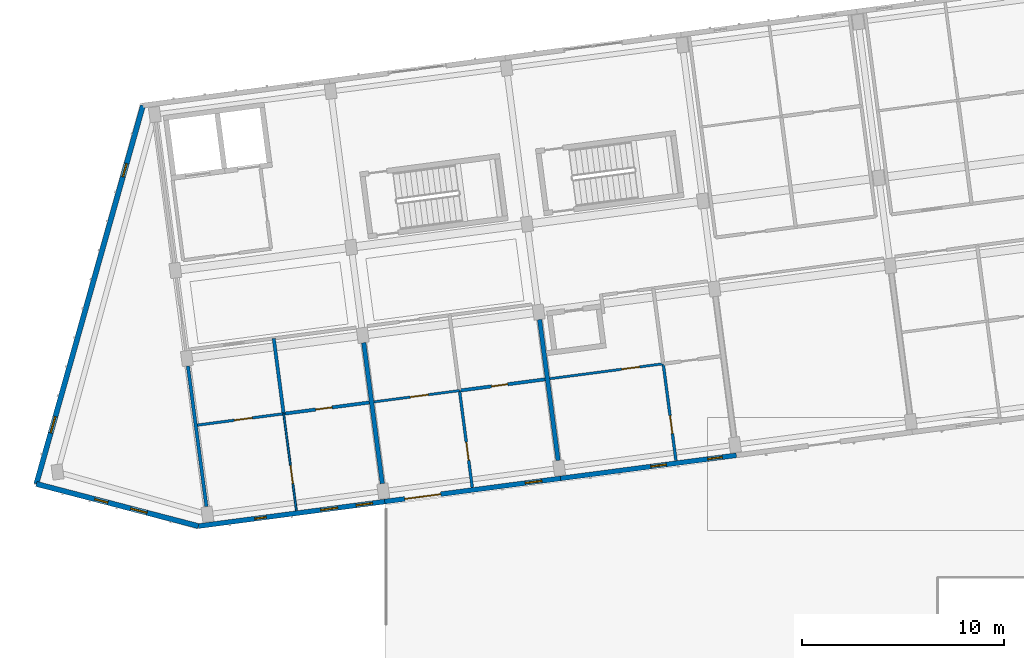
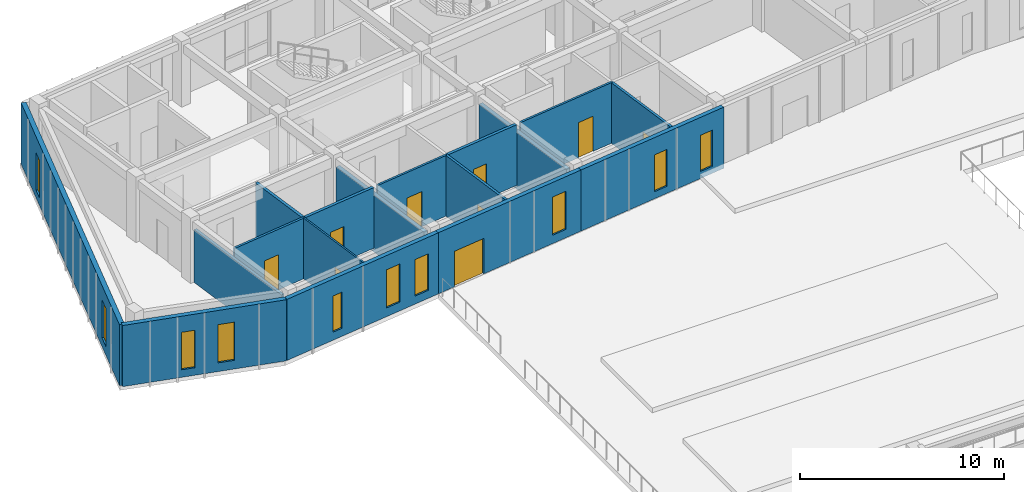
# One storey, part 92 of 150: 17 walls, 10 windows, 9 doors, 19 openings.
"""IFC4 building model written with IfcOpenShell, lengths in metres."""

import ifcopenshell
import ifcopenshell.guid

model = None  # the IFC model being written
_history = None  # IfcOwnerHistory: only IFC2X3 demands one
_inside = {}  # id of a spatial element -> (the spatial element, [elements in it])
_under = {}  # id of a project, library or spatial element -> (it, [spatial elements below it])
_declared = {}  # id of a project -> (the project, [libraries it declares])
_typed = {}  # id of a type object -> (the type object, [elements of that type])
_made_of = {}  # id of a material, layer set ... -> (it, [elements and type objects made of it])


def new_model(schema):
    """Start an empty IFC model of exactly this schema.

    Asked for "IFC4X3", IfcOpenShell would pick the latest addendum, in which some entities
    have other attributes; the version numbers below select the first issue.
    IFC2X3 requires an IfcOwnerHistory on every rooted entity: one is made here for all.
    """
    global model, _history
    if schema == "IFC4X3":
        model = ifcopenshell.file(schema_version=(4, 3, 0, 0))
    else:
        model = ifcopenshell.file(schema=schema)
    _inside.clear()
    _under.clear()
    _declared.clear()
    _typed.clear()
    _made_of.clear()
    _history = None
    if model.schema == "IFC2X3":
        org = make("IfcOrganization", Name="unknown")
        user = make(
            "IfcPersonAndOrganization",
            ThePerson=make("IfcPerson", FamilyName="unknown"),
            TheOrganization=org,
        )
        app = make(
            "IfcApplication",
            ApplicationDeveloper=org,
            Version="unknown",
            ApplicationFullName="unknown",
            ApplicationIdentifier="unknown",
        )
        _history = make(
            "IfcOwnerHistory",
            OwningUser=user,
            OwningApplication=app,
            ChangeAction="ADDED",
            CreationDate=0,
        )
    return model


def make(cls, **values):
    """One entity of the class cls with the attributes given. An attribute that is None is left unset."""
    return model.create_entity(
        cls, **{name: value for name, value in values.items() if value is not None}
    )


def rooted(cls, **values):
    """An entity with a GlobalId (a new one), such as an element, a storey or a relation."""
    return make(cls, GlobalId=ifcopenshell.guid.new(), OwnerHistory=_history, **values)


def si_unit(unit_type, name, prefix=None):
    """IfcSIUnit, for example si_unit("LENGTHUNIT", "METRE", prefix="MILLI")."""
    return make("IfcSIUnit", UnitType=unit_type, Prefix=prefix, Name=name)


def assignment(units):
    """IfcUnitAssignment: the units of a project."""
    return None if units is None else make("IfcUnitAssignment", Units=units)


def point(xyz):
    """IfcCartesianPoint."""
    return None if xyz is None else make("IfcCartesianPoint", Coordinates=xyz)


def direction(xyz):
    """IfcDirection."""
    return None if xyz is None else make("IfcDirection", DirectionRatios=xyz)


def frame(location, z_axis=None, x_axis=None):
    """IfcAxis2Placement3D, a coordinate frame: its origin and axes. An axis left out is left unset."""
    return make(
        "IfcAxis2Placement3D",
        Location=point(location),
        Axis=direction(z_axis),
        RefDirection=direction(x_axis),
    )


def frame_2d(location, x_axis=None):
    """IfcAxis2Placement2D, a coordinate frame in the plane: its origin and x axis."""
    return make(
        "IfcAxis2Placement2D", Location=point(location), RefDirection=direction(x_axis)
    )


def origin():
    """The frame at (0, 0, 0) with its axes left unset."""
    return frame((0.0, 0.0, 0.0))


def place(relative_to, where):
    """IfcLocalPlacement: puts the frame where relative to a parent placement (None: the world)."""
    return make(
        "IfcLocalPlacement", PlacementRelTo=relative_to, RelativePlacement=where
    )


def context(
    kind, dimensions, precision=None, world=None, true_north=None, identifier=None
):
    """IfcGeometricRepresentationContext, for example the 3D "Model" context."""
    return make(
        "IfcGeometricRepresentationContext",
        ContextIdentifier=identifier,
        ContextType=kind,
        CoordinateSpaceDimension=dimensions,
        Precision=precision,
        WorldCoordinateSystem=world,
        TrueNorth=true_north,
    )


def subcontext(parent, identifier, kind, view, scale=None):
    """IfcGeometricRepresentationSubContext, for example "Body" below "Model"."""
    return make(
        "IfcGeometricRepresentationSubContext",
        ContextIdentifier=identifier,
        ContextType=kind,
        ParentContext=parent,
        TargetScale=scale,
        TargetView=view,
    )


def project(units=None, contexts=None):
    """IfcProject with its units and contexts."""
    return rooted(
        "IfcProject",
        Name="project",
        RepresentationContexts=contexts,
        UnitsInContext=assignment(units),
    )


def spatial(cls, under=None, at=None, **own):
    """A site, building, storey or space (cls), placed at a placement, below another one or the project."""
    s = rooted(cls, ObjectPlacement=at, **own)
    if under is not None:
        _under.setdefault(under.id(), (under, []))[1].append(s)
    return s


def profile(cls, at=None, kind="AREA", **sizes):
    """A parametric profile (cls). Its sizes go by their IFC names, for example OverallWidth=200.0."""
    return make(cls, ProfileType=kind, Position=at, **sizes)


def rectangle(**sizes):
    """IfcRectangleProfileDef."""
    return profile("IfcRectangleProfileDef", **sizes)


def extrude(swept, where, along, depth):
    """IfcExtrudedAreaSolid: the profile swept, set in the frame where, extruded along a direction by depth."""
    return make(
        "IfcExtrudedAreaSolid",
        SweptArea=swept,
        Position=where,
        ExtrudedDirection=direction(along),
        Depth=depth,
    )


def shape(context_of_items, identifier, shape_type, items):
    """IfcShapeRepresentation: the items that make up one representation, for example the "Body"."""
    return make(
        "IfcShapeRepresentation",
        ContextOfItems=context_of_items,
        RepresentationIdentifier=identifier,
        RepresentationType=shape_type,
        Items=items,
    )


def material(Name=None, Category=None):
    """IfcMaterial."""
    return make("IfcMaterial", Name=Name, Category=Category)


def layer(
    of_material, thickness, ventilated=None, Name=None, Category=None, Priority=None
):
    """IfcMaterialLayer: one layer of a wall or slab, of a material (None: an air gap)."""
    return make(
        "IfcMaterialLayer",
        Material=of_material,
        LayerThickness=thickness,
        IsVentilated=ventilated,
        Name=Name,
        Category=Category,
        Priority=Priority,
    )


def layer_set(layers, Name=None):
    """IfcMaterialLayerSet."""
    return make("IfcMaterialLayerSet", MaterialLayers=layers, LayerSetName=Name)


def made_of(thing, what):
    """Note that an element or type object is made of a material, layer set ...; save() writes the relation."""
    if what is not None:
        _made_of.setdefault(what.id(), (what, []))[1].append(thing)
    return thing


def type_object(cls, material=None, **own):
    """A type object (cls), such as IfcWallType, which elements share."""
    return made_of(rooted(cls, **own), material)


def element(
    cls,
    number,
    at=None,
    inside=None,
    cuts=None,
    type_object=None,
    material=None,
    context=None,
    identifier="Body",
    shape_type=None,
    held_by="IfcProductDefinitionShape",
    body=None,
    shapes=None,
    **own,
):
    """One element of the class cls, such as IfcWall. Its Tag is "e" and its number.

    at: its placement. inside: the storey or other place that contains it. cuts: it is an
    opening in that element (IfcRelVoidsElement). A single representation is given by context,
    identifier, shape_type and body (its items); several are given by shapes. held_by: the class
    of the entity that holds the representations. save() writes the other relations.
    """
    e = rooted(cls, Tag="e%d" % number, ObjectPlacement=at, **own)
    if body is not None:
        shapes = [shape(context, identifier, shape_type, body)]
    if shapes is not None:
        e.Representation = make(held_by, Representations=shapes)
    if inside is not None:
        _inside.setdefault(inside.id(), (inside, []))[1].append(e)
    if cuts is not None:
        rooted(
            "IfcRelVoidsElement", RelatingBuildingElement=cuts, RelatedOpeningElement=e
        )
    if type_object is not None:
        _typed.setdefault(type_object.id(), (type_object, []))[1].append(e)
    return made_of(e, material)


def fill(opening, filler):
    """IfcRelFillsElement: the door or window that sits in an opening."""
    return rooted(
        "IfcRelFillsElement",
        RelatingOpeningElement=opening,
        RelatedBuildingElement=filler,
    )


def aggregate(whole, parts):
    """IfcRelAggregates: a whole, such as a stair, and the parts it consists of."""
    return rooted("IfcRelAggregates", RelatingObject=whole, RelatedObjects=parts)


def save(model, path):
    """Write the relations noted so far, then the file.

    IfcRelAggregates (storeys below a building ...), IfcRelContainedInSpatialStructure (elements
    in a storey), IfcRelDefinesByType, IfcRelAssociatesMaterial and IfcRelDeclares: one each for
    every whole, place, type object, material and project.
    """
    for whole, parts in _under.values():
        aggregate(whole, parts)
    for where, things in _inside.values():
        rooted(
            "IfcRelContainedInSpatialStructure",
            RelatedElements=things,
            RelatingStructure=where,
        )
    for kind, things in _typed.values():
        rooted("IfcRelDefinesByType", RelatedObjects=things, RelatingType=kind)
    for what, things in _made_of.values():
        rooted("IfcRelAssociatesMaterial", RelatedObjects=things, RelatingMaterial=what)
    for by, libraries in _declared.values():
        rooted("IfcRelDeclares", RelatingContext=by, RelatedDefinitions=libraries)
    model.write(path)


model = new_model("IFC4")

# Units and contexts
model_context = context("Model", 3, precision=1e-05, world=origin(), true_north=direction((0.0, 1.0)))
body_context = subcontext(model_context, "Body", "Model", "MODEL_VIEW")
ifc_project = project(units=[si_unit("LENGTHUNIT", "METRE"), si_unit("AREAUNIT", "SQUARE_METRE"), si_unit("VOLUMEUNIT", "CUBIC_METRE"), si_unit("PLANEANGLEUNIT", "RADIAN"), si_unit("MASSUNIT", "GRAM", prefix="KILO")], contexts=[model_context])

# Site, building, storey
site_placement = place(None, origin())
site = spatial("IfcSite", under=ifc_project, at=site_placement, CompositionType="ELEMENT")
building_placement = place(site_placement, origin())
building = spatial("IfcBuilding", under=site, at=building_placement, Name="Kestramere Prow Commons", CompositionType="ELEMENT")
storey_placement = place(building_placement, frame((0.0, 0.0, 4.5)))
storey = spatial("IfcBuildingStorey", under=building, at=storey_placement, Name="L01", CompositionType="ELEMENT", Elevation=4.5)

# Wall, openings, windows
ifc_material_1 = material(Name="Weathered Zinc-Titanium Standing-Seam Cladding")
ifc_layer_1 = layer(ifc_material_1, 0.260009765625)
ifc_layer_set_1 = layer_set([ifc_layer_1], Name="Weathered Zinc-Titanium Standing-Seam Cladding")
wall_type_1 = type_object("IfcWallType", Name="EW-PROW-260", PredefinedType="SOLIDWALL", material=ifc_layer_set_1)
wall_1_placement = place(storey_placement, frame((10.748046875, 71.410888671875, 0.0), z_axis=(0.0, 0.0, 1.0), x_axis=(-0.967694955113, 0.252123925577, 0.0)))
wall_1 = element("IfcWall", 1, at=wall_1_placement, inside=storey, type_object=wall_type_1, Name="Block A L01 PRW-S Facet Wall", PredefinedType="SOLIDWALL", context=body_context, shape_type="SweptSolid", body=[
    extrude(rectangle(XDim=8.305419921875, YDim=0.260009765625, at=frame_2d((4.15283203125, 0.0))), origin(), (0.0, 0.0, 1.0), 3.64990234375),
])
opening_1_placement = place(wall_1_placement, frame((2.6298828125, 0.0, 0.52001953125)))
opening_1 = element("IfcOpeningElement", 2, at=opening_1_placement, cuts=wall_1, Name="Opening WN-14", PredefinedType="OPENING", context=body_context, shape_type="SweptSolid", body=[
    extrude(rectangle(XDim=0.840087890625, YDim=2.280029296875, at=frame_2d((0.419921875, 1.14013671875))), frame((0.0, 0.14501953125, 0.0), z_axis=(0.0, -1.0, 0.0), x_axis=(1.0, 0.0, 0.0)), (0.0, 0.0, 1.0), 0.2900390625),
])
opening_2_placement = place(wall_1_placement, frame((4.63525390625, 0.0, 0.449951171875)))
opening_2 = element("IfcOpeningElement", 3, at=opening_2_placement, cuts=wall_1, Name="Opening WN-06", PredefinedType="OPENING", context=body_context, shape_type="SweptSolid", body=[
    extrude(rectangle(XDim=0.679931640625, YDim=2.239990234375, at=frame_2d((0.33984375, 1.1201171875))), frame((0.0, 0.14501953125, 0.0), z_axis=(0.0, -1.0, 0.0), x_axis=(1.0, 0.0, 0.0)), (0.0, 0.0, 1.0), 0.2900390625),
])
ifc_material_2 = material(Name="Low-E Laminated Double Glazing", Category="glass")
window_type_1 = type_object("IfcWindowType", Name="WN-NAR-680A", PartitioningType="SINGLE_PANEL", PredefinedType="WINDOW", material=ifc_material_2)
window_1_placement = place(opening_2_placement, origin())
window_1 = element("IfcWindow", 4, at=window_1_placement, inside=storey, type_object=window_type_1, Name="WN-A-L01-PRW-S-1", OverallHeight=2.239990234375, OverallWidth=0.679931640625, PartitioningType="SINGLE_PANEL", PredefinedType="WINDOW", context=body_context, shape_type="SweptSolid", body=[
    extrude(rectangle(XDim=0.679931640625, YDim=2.239990234375, at=frame_2d((0.33984375, 1.1201171875))), frame((0.0, 0.030029296875, 0.0), z_axis=(0.0, -1.0, 0.0), x_axis=(1.0, 0.0, 0.0)), (0.0, 0.0, 1.0), 0.06005859375),
])
fill(opening_2, window_1)
window_type_2 = type_object("IfcWindowType", Name="WN-NAR-840A", PartitioningType="DOUBLE_PANEL_VERTICAL", PredefinedType="WINDOW", material=ifc_material_2)
window_2_placement = place(opening_1_placement, origin())
window_2 = element("IfcWindow", 5, at=window_2_placement, inside=storey, type_object=window_type_2, Name="WN-A-L01-PRW-S-0", OverallHeight=2.280029296875, OverallWidth=0.840087890625, PartitioningType="SINGLE_PANEL", PredefinedType="WINDOW", context=body_context, shape_type="SweptSolid", body=[
    extrude(rectangle(XDim=0.840087890625, YDim=2.280029296875, at=frame_2d((0.419921875, 1.14013671875))), frame((0.0, 0.030029296875, 0.0), z_axis=(0.0, -1.0, 0.0), x_axis=(1.0, 0.0, 0.0)), (0.0, 0.0, 1.0), 0.06005859375),
])
fill(opening_1, window_2)

wall_2_placement = place(storey_placement, frame((2.7109375, 73.5048828125, 0.0), z_axis=(0.0, 0.0, 1.0), x_axis=(0.271165263368, 0.962532804606, 0.0)))
wall_2 = element("IfcWall", 6, at=wall_2_placement, inside=storey, type_object=wall_type_1, Name="Block A L01 PRW-N Facet Wall", PredefinedType="SOLIDWALL", context=body_context, shape_type="SweptSolid", body=[
    extrude(rectangle(XDim=19.5068359375, YDim=0.260009765625, at=frame_2d((9.75341796875, 0.0))), origin(), (0.0, 0.0, 1.0), 3.64990234375),
])
opening_3_placement = place(wall_2_placement, frame((2.6298828125, 0.0, 0.52001953125)))
opening_3 = element("IfcOpeningElement", 7, at=opening_3_placement, cuts=wall_2, Name="Opening WN-14", PredefinedType="OPENING", context=body_context, shape_type="SweptSolid", body=[
    extrude(rectangle(XDim=0.840087890625, YDim=2.280029296875, at=frame_2d((0.419921875, 1.14013671875))), frame((0.0, 0.14501953125, 0.0), z_axis=(0.0, -1.0, 0.0), x_axis=(1.0, 0.0, 0.0)), (0.0, 0.0, 1.0), 0.2900390625),
])
opening_4_placement = place(wall_2_placement, frame((15.8369140625, 0.0, 0.449951171875)))
opening_4 = element("IfcOpeningElement", 8, at=opening_4_placement, cuts=wall_2, Name="Opening WN-06", PredefinedType="OPENING", context=body_context, shape_type="SweptSolid", body=[
    extrude(rectangle(XDim=0.679931640625, YDim=2.239990234375, at=frame_2d((0.33984375, 1.1201171875))), frame((0.0, 0.14501953125, 0.0), z_axis=(0.0, -1.0, 0.0), x_axis=(1.0, 0.0, 0.0)), (0.0, 0.0, 1.0), 0.2900390625),
])
window_3_placement = place(opening_4_placement, origin())
window_3 = element("IfcWindow", 9, at=window_3_placement, inside=storey, type_object=window_type_1, Name="WN-A-L01-PRW-N-1", OverallHeight=2.239990234375, OverallWidth=0.679931640625, PartitioningType="SINGLE_PANEL", PredefinedType="WINDOW", context=body_context, shape_type="SweptSolid", body=[
    extrude(rectangle(XDim=0.679931640625, YDim=2.239990234375, at=frame_2d((0.33984375, 1.1201171875))), frame((0.0, 0.030029296875, 0.0), z_axis=(0.0, -1.0, 0.0), x_axis=(1.0, 0.0, 0.0)), (0.0, 0.0, 1.0), 0.06005859375),
])
fill(opening_4, window_3)
window_4_placement = place(opening_3_placement, origin())
window_4 = element("IfcWindow", 10, at=window_4_placement, inside=storey, type_object=window_type_2, Name="WN-A-L01-PRW-N-0", OverallHeight=2.280029296875, OverallWidth=0.840087890625, PartitioningType="SINGLE_PANEL", PredefinedType="WINDOW", context=body_context, shape_type="SweptSolid", body=[
    extrude(rectangle(XDim=0.840087890625, YDim=2.280029296875, at=frame_2d((0.419921875, 1.14013671875))), frame((0.0, 0.030029296875, 0.0), z_axis=(0.0, -1.0, 0.0), x_axis=(1.0, 0.0, 0.0)), (0.0, 0.0, 1.0), 0.06005859375),
])
fill(opening_3, window_4)

ifc_material_3 = material(Name="Fluoropolymer Standing-Seam Zinc-Aluminium Cladding", Category="aluminium")
ifc_layer_2 = layer(ifc_material_3, 0.239990234375)
ifc_layer_set_2 = layer_set([ifc_layer_2], Name="Fluoropolymer Standing-Seam Zinc-Aluminium Cladding")
wall_type_2 = type_object("IfcWallType", Name="EW-SEAM-240", PredefinedType="SOLIDWALL", material=ifc_layer_set_2)
wall_3_placement = place(storey_placement, frame((19.9931640625, 72.628173828125, 0.0), z_axis=(0.0, 0.0, 1.0), x_axis=(-0.991442885224, -0.130541201693, 0.0)))
wall_3 = element("IfcWall", 11, at=wall_3_placement, inside=storey, type_object=wall_type_2, Name="Block A L01 South Standing-Seam Wall 1", PredefinedType="SOLIDWALL", context=body_context, shape_type="SweptSolid", body=[
    extrude(rectangle(XDim=9.324951171875, YDim=0.239990234375, at=frame_2d((4.66259765625, 0.0))), origin(), (0.0, 0.0, 1.0), 3.64990234375),
])
opening_5_placement = place(wall_3_placement, frame((0.610107421875, 0.0, 0.47998046875)))
opening_5 = element("IfcOpeningElement", 12, at=opening_5_placement, cuts=wall_3, Name="Opening WN-13", PredefinedType="OPENING", context=body_context, shape_type="SweptSolid", body=[
    extrude(rectangle(XDim=0.820068359375, YDim=2.179931640625, at=frame_2d((0.41015625, 1.08984375))), frame((0.0, 0.135009765625, 0.0), z_axis=(0.0, -1.0, 0.0), x_axis=(1.0, 0.0, 0.0)), (0.0, 0.0, 1.0), 0.27001953125),
])
opening_6_placement = place(wall_3_placement, frame((2.35595703125, 0.0, 0.52001953125)))
opening_6 = element("IfcOpeningElement", 13, at=opening_6_placement, cuts=wall_3, Name="Opening WN-14", PredefinedType="OPENING", context=body_context, shape_type="SweptSolid", body=[
    extrude(rectangle(XDim=0.840087890625, YDim=2.280029296875, at=frame_2d((0.419921875, 1.14013671875))), frame((0.0, 0.135009765625, 0.0), z_axis=(0.0, -1.0, 0.0), x_axis=(1.0, 0.0, 0.0)), (0.0, 0.0, 1.0), 0.27001953125),
])
opening_7_placement = place(wall_3_placement, frame((5.9267578125, 0.0, 0.47998046875)))
opening_7 = element("IfcOpeningElement", 14, at=opening_7_placement, cuts=wall_3, Name="Opening WN-01", PredefinedType="OPENING", context=body_context, shape_type="SweptSolid", body=[
    extrude(rectangle(XDim=0.580078125, YDim=2.159912109375, at=frame_2d((0.2900390625, 1.080078125))), frame((0.0, 0.135009765625, 0.0), z_axis=(0.0, -1.0, 0.0), x_axis=(1.0, 0.0, 0.0)), (0.0, 0.0, 1.0), 0.27001953125),
])
window_type_3 = type_object("IfcWindowType", Name="WN-NAR-580A", PartitioningType="SINGLE_PANEL", PredefinedType="WINDOW", material=ifc_material_2)
window_5_placement = place(opening_7_placement, origin())
window_5 = element("IfcWindow", 15, at=window_5_placement, inside=storey, type_object=window_type_3, Name="WN-A-L01-S-0-10", OverallHeight=2.159912109375, OverallWidth=0.580078125, PartitioningType="SINGLE_PANEL", PredefinedType="WINDOW", context=body_context, shape_type="SweptSolid", body=[
    extrude(rectangle(XDim=0.580078125, YDim=2.159912109375, at=frame_2d((0.2900390625, 1.080078125))), frame((0.0, 0.030029296875, 0.0), z_axis=(0.0, -1.0, 0.0), x_axis=(1.0, 0.0, 0.0)), (0.0, 0.0, 1.0), 0.06005859375),
])
fill(opening_7, window_5)
window_type_4 = type_object("IfcWindowType", Name="WN-NAR-820A", PartitioningType="DOUBLE_PANEL_VERTICAL", PredefinedType="WINDOW", material=ifc_material_2)
window_6_placement = place(opening_5_placement, origin())
window_6 = element("IfcWindow", 16, at=window_6_placement, inside=storey, type_object=window_type_4, Name="WN-A-L01-S-0-00", OverallHeight=2.179931640625, OverallWidth=0.820068359375, PartitioningType="SINGLE_PANEL", PredefinedType="WINDOW", context=body_context, shape_type="SweptSolid", body=[
    extrude(rectangle(XDim=0.820068359375, YDim=2.179931640625, at=frame_2d((0.41015625, 1.08984375))), frame((0.0, 0.030029296875, 0.0), z_axis=(0.0, -1.0, 0.0), x_axis=(1.0, 0.0, 0.0)), (0.0, 0.0, 1.0), 0.06005859375),
])
fill(opening_5, window_6)
window_7_placement = place(opening_6_placement, origin())
window_7 = element("IfcWindow", 17, at=window_7_placement, inside=storey, type_object=window_type_2, Name="WN-A-L01-S-0-01", OverallHeight=2.280029296875, OverallWidth=0.840087890625, PartitioningType="SINGLE_PANEL", PredefinedType="WINDOW", context=body_context, shape_type="SweptSolid", body=[
    extrude(rectangle(XDim=0.840087890625, YDim=2.280029296875, at=frame_2d((0.419921875, 1.14013671875))), frame((0.0, 0.030029296875, 0.0), z_axis=(0.0, -1.0, 0.0), x_axis=(1.0, 0.0, 0.0)), (0.0, 0.0, 1.0), 0.06005859375),
])
fill(opening_6, window_7)

# Wall, openings, door, window
wall_4_placement = place(storey_placement, frame((28.718017578125, 73.77685546875, 0.0), z_axis=(0.0, 0.0, 1.0), x_axis=(-0.991444377792, -0.130529865336, 0.0)))
wall_4 = element("IfcWall", 18, at=wall_4_placement, inside=storey, type_object=wall_type_2, Name="Block A L01 South Standing-Seam Wall 2", PredefinedType="SOLIDWALL", context=body_context, shape_type="SweptSolid", body=[
    extrude(rectangle(XDim=8.800048828125, YDim=0.239990234375, at=frame_2d((4.39990234375, 0.0))), origin(), (0.0, 0.0, 1.0), 3.64990234375),
])
opening_8_placement = place(wall_4_placement, frame((5.9970703125, 0.0, 0.0)))
opening_8 = element("IfcOpeningElement", 19, at=opening_8_placement, cuts=wall_4, Name="Opening GD-BAL-02", PredefinedType="OPENING", context=body_context, shape_type="SweptSolid", body=[
    extrude(rectangle(XDim=1.800048828125, YDim=2.1201171875, at=frame_2d((0.89990234375, 1.06005859375))), frame((0.0, 0.135009765625, 0.0), z_axis=(0.0, -1.0, 0.0), x_axis=(1.0, 0.0, 0.0)), (0.0, 0.0, 1.0), 0.27001953125),
])
opening_9_placement = place(wall_4_placement, frame((0.929931640625, 0.0, 0.5)))
opening_9 = element("IfcOpeningElement", 20, at=opening_9_placement, cuts=wall_4, Name="Opening WN-14", PredefinedType="OPENING", context=body_context, shape_type="SweptSolid", body=[
    extrude(rectangle(XDim=0.840087890625, YDim=2.280029296875, at=frame_2d((0.419921875, 1.14013671875))), frame((0.0, 0.135009765625, 0.0), z_axis=(0.0, -1.0, 0.0), x_axis=(1.0, 0.0, 0.0)), (0.0, 0.0, 1.0), 0.27001953125),
])
ifc_material_4 = material(Name="Thermally-Broken Anodised Aluminium Glazed", Category="aluminium")
door_type_1 = type_object("IfcDoorType", Name="GD-BAL-1800", OperationType="SLIDING_TO_LEFT", PredefinedType="DOOR", material=ifc_material_4)
door_1_placement = place(opening_8_placement, origin())
door_1 = element("IfcDoor", 21, at=door_1_placement, inside=storey, type_object=door_type_1, Name="Block A L01 Balcony Door 2", OperationType="SLIDING_TO_LEFT", OverallHeight=2.1201171875, OverallWidth=1.800048828125, PredefinedType="DOOR", context=body_context, shape_type="SweptSolid", body=[
    extrude(rectangle(XDim=1.800048828125, YDim=2.1201171875, at=frame_2d((0.89990234375, 1.06005859375))), frame((0.0, 0.02490234375, 0.0), z_axis=(0.0, -1.0, 0.0), x_axis=(1.0, 0.0, 0.0)), (0.0, 0.0, 1.0), 0.050048828125),
])
fill(opening_8, door_1)
window_8_placement = place(opening_9_placement, origin())
window_8 = element("IfcWindow", 22, at=window_8_placement, inside=storey, type_object=window_type_2, Name="WN-A-L01-SR-1", OverallHeight=2.280029296875, OverallWidth=0.840087890625, PartitioningType="SINGLE_PANEL", PredefinedType="WINDOW", context=body_context, shape_type="SweptSolid", body=[
    extrude(rectangle(XDim=0.840087890625, YDim=2.280029296875, at=frame_2d((0.419921875, 1.14013671875))), frame((0.0, 0.030029296875, 0.0), z_axis=(0.0, -1.0, 0.0), x_axis=(1.0, 0.0, 0.0)), (0.0, 0.0, 1.0), 0.06005859375),
])
fill(opening_9, window_8)

# Wall, openings, windows
wall_5_placement = place(storey_placement, frame((37.442626953125, 74.92529296875, 0.0), z_axis=(0.0, 0.0, 1.0), x_axis=(-0.991447495205, -0.130506184728, 0.0)))
wall_5 = element("IfcWall", 23, at=wall_5_placement, inside=storey, type_object=wall_type_2, Name="Block A L01 South Standing-Seam Wall 3", PredefinedType="SOLIDWALL", context=body_context, shape_type="SweptSolid", body=[
    extrude(rectangle(XDim=8.7998046875, YDim=0.239990234375, at=frame_2d((4.39990234375, 0.0))), origin(), (0.0, 0.0, 1.0), 3.64990234375),
])
opening_10_placement = place(wall_5_placement, frame((0.709716796875, 0.0, 0.419921875)))
opening_10 = element("IfcOpeningElement", 24, at=opening_10_placement, cuts=wall_5, Name="Opening WN-08", PredefinedType="OPENING", context=body_context, shape_type="SweptSolid", body=[
    extrude(rectangle(XDim=0.719970703125, YDim=2.159912109375, at=frame_2d((0.35986328125, 1.080078125))), frame((0.0, 0.135009765625, 0.0), z_axis=(0.0, -1.0, 0.0), x_axis=(1.0, 0.0, 0.0)), (0.0, 0.0, 1.0), 0.27001953125),
])
opening_11_placement = place(wall_5_placement, frame((3.503662109375, 0.0, 0.419921875)))
opening_11 = element("IfcOpeningElement", 25, at=opening_11_placement, cuts=wall_5, Name="Opening WN-11", PredefinedType="OPENING", context=body_context, shape_type="SweptSolid", body=[
    extrude(rectangle(XDim=0.780029296875, YDim=2.199951171875, at=frame_2d((0.39013671875, 1.10009765625))), frame((0.0, 0.135009765625, 0.0), z_axis=(0.0, -1.0, 0.0), x_axis=(1.0, 0.0, 0.0)), (0.0, 0.0, 1.0), 0.27001953125),
])
window_type_5 = type_object("IfcWindowType", Name="WN-NAR-720A", PartitioningType="SINGLE_PANEL", PredefinedType="WINDOW", material=ifc_material_2)
window_9_placement = place(opening_10_placement, origin())
window_9 = element("IfcWindow", 26, at=window_9_placement, inside=storey, type_object=window_type_5, Name="WN-A-L01-S-2-00", OverallHeight=2.159912109375, OverallWidth=0.719970703125, PartitioningType="SINGLE_PANEL", PredefinedType="WINDOW", context=body_context, shape_type="SweptSolid", body=[
    extrude(rectangle(XDim=0.719970703125, YDim=2.159912109375, at=frame_2d((0.35986328125, 1.080078125))), frame((0.0, 0.030029296875, 0.0), z_axis=(0.0, -1.0, 0.0), x_axis=(1.0, 0.0, 0.0)), (0.0, 0.0, 1.0), 0.06005859375),
])
fill(opening_10, window_9)
window_type_6 = type_object("IfcWindowType", Name="WN-NAR-780A", PartitioningType="SINGLE_PANEL", PredefinedType="WINDOW", material=ifc_material_2)
window_10_placement = place(opening_11_placement, origin())
window_10 = element("IfcWindow", 27, at=window_10_placement, inside=storey, type_object=window_type_6, Name="WN-A-L01-S-2-10", OverallHeight=2.199951171875, OverallWidth=0.780029296875, PartitioningType="SINGLE_PANEL", PredefinedType="WINDOW", context=body_context, shape_type="SweptSolid", body=[
    extrude(rectangle(XDim=0.780029296875, YDim=2.199951171875, at=frame_2d((0.39013671875, 1.10009765625))), frame((0.0, 0.030029296875, 0.0), z_axis=(0.0, -1.0, 0.0), x_axis=(1.0, 0.0, 0.0)), (0.0, 0.0, 1.0), 0.06005859375),
])
fill(opening_11, window_10)

# Wall, opening, door
ifc_material_5 = material(Name="Lightweight Blockwork and Plaster", Category="masonry")
ifc_layer_3 = layer(ifc_material_5, 0.1201171875)
ifc_layer_set_3 = layer_set([ifc_layer_3], Name="Lightweight Blockwork and Plaster")
wall_type_3 = type_object("IfcWallType", Name="W-PART-120", PredefinedType="PARTITIONING", material=ifc_layer_set_3)
wall_6_placement = place(storey_placement, frame((19.4580078125, 77.57568359375, 0.0), z_axis=(0.0, 0.0, 1.0), x_axis=(0.991451386343, 0.130476620581, 0.0)))
wall_6 = element("IfcWall", 28, at=wall_6_placement, inside=storey, type_object=wall_type_3, Name="Interior Partition PW-A-L01-MIDS1-1", PredefinedType="PARTITIONING", context=body_context, shape_type="SweptSolid", body=[
    extrude(rectangle(XDim=4.284912109375, YDim=0.1201171875, at=frame_2d((2.142578125, 0.0))), origin(), (0.0, 0.0, 1.0), 3.6201171875),
])
opening_12_placement = place(wall_6_placement, frame((1.824951171875, 0.0, 0.0)))
opening_12 = element("IfcOpeningElement", 29, at=opening_12_placement, cuts=wall_6, Name="Opening ID-08", PredefinedType="OPENING", context=body_context, shape_type="SweptSolid", body=[
    extrude(rectangle(XDim=0.89990234375, YDim=2.10009765625, at=frame_2d((0.449951171875, 1.050048828125))), frame((0.0, 0.074951171875, 0.0), z_axis=(0.0, -1.0, 0.0), x_axis=(1.0, 0.0, 0.0)), (0.0, 0.0, 1.0), 0.150146484375),
])
ifc_material_6 = material(Name="Engineered Timber Flush Door", Category="wood")
door_type_2 = type_object("IfcDoorType", Name="D-RM-01", OperationType="NOTDEFINED", PredefinedType="DOOR", material=ifc_material_6)
door_2_placement = place(opening_12_placement, origin())
door_2 = element("IfcDoor", 30, at=door_2_placement, inside=storey, type_object=door_type_2, Name="Interior Door DR-A-L01-KL-S1", OperationType="SINGLE_SWING_RIGHT", OverallHeight=2.10009765625, OverallWidth=0.89990234375, PredefinedType="DOOR", context=body_context, shape_type="SweptSolid", body=[
    extrude(rectangle(XDim=0.89990234375, YDim=2.10009765625, at=frame_2d((0.449951171875, 1.050048828125))), frame((0.0, 0.02490234375, 0.0), z_axis=(0.0, -1.0, 0.0), x_axis=(1.0, 0.0, 0.0)), (0.0, 0.0, 1.0), 0.050048828125),
])
fill(opening_12, door_2)

wall_7_placement = place(storey_placement, frame((28.1826171875, 78.72412109375, 0.0), z_axis=(0.0, 0.0, 1.0), x_axis=(0.991443173156, 0.130539014865, 0.0)))
wall_7 = element("IfcWall", 31, at=wall_7_placement, inside=storey, type_object=wall_type_3, Name="Interior Partition PW-A-L01-MIDS1-2", PredefinedType="PARTITIONING", context=body_context, shape_type="SweptSolid", body=[
    extrude(rectangle(XDim=5.679931640625, YDim=0.1201171875, at=frame_2d((2.83984375, 0.0))), origin(), (0.0, 0.0, 1.0), 3.6201171875),
])
opening_13_placement = place(wall_7_placement, frame((3.594970703125, 0.0, 0.0)))
opening_13 = element("IfcOpeningElement", 32, at=opening_13_placement, cuts=wall_7, Name="Opening ID-08", PredefinedType="OPENING", context=body_context, shape_type="SweptSolid", body=[
    extrude(rectangle(XDim=0.89990234375, YDim=2.10009765625, at=frame_2d((0.449951171875, 1.050048828125))), frame((0.0, 0.074951171875, 0.0), z_axis=(0.0, -1.0, 0.0), x_axis=(1.0, 0.0, 0.0)), (0.0, 0.0, 1.0), 0.150146484375),
])
door_3_placement = place(opening_13_placement, origin())
door_3 = element("IfcDoor", 33, at=door_3_placement, inside=storey, type_object=door_type_2, Name="Interior Door DR-A-L01-KL-S2", OperationType="SINGLE_SWING_RIGHT", OverallHeight=2.10009765625, OverallWidth=0.89990234375, PredefinedType="DOOR", context=body_context, shape_type="SweptSolid", body=[
    extrude(rectangle(XDim=0.89990234375, YDim=2.10009765625, at=frame_2d((0.449951171875, 1.050048828125))), frame((0.0, 0.02490234375, 0.0), z_axis=(0.0, -1.0, 0.0), x_axis=(1.0, 0.0, 0.0)), (0.0, 0.0, 1.0), 0.050048828125),
])
fill(opening_13, door_3)

ifc_layer_4 = layer(ifc_material_5, 0.1298828125)
ifc_layer_set_4 = layer_set([ifc_layer_4], Name="Lightweight Blockwork and Plaster")
wall_type_4 = type_object("IfcWallType", Name="W-PART-130", PredefinedType="PARTITIONING", material=ifc_layer_set_4)
wall_8_placement = place(storey_placement, frame((10.70849609375, 76.423583984375, 0.0), z_axis=(0.0, 0.0, 1.0), x_axis=(0.991438863922, 0.130571739306, 0.0)))
wall_8 = element("IfcWall", 34, at=wall_8_placement, inside=storey, type_object=wall_type_4, Name="Interior Partition PW-A-L01-MIDS1-0", PredefinedType="PARTITIONING", context=body_context, shape_type="SweptSolid", body=[
    extrude(rectangle(XDim=4.309814453125, YDim=0.1298828125, at=frame_2d((2.15478515625, 0.0))), origin(), (0.0, 0.0, 1.0), 3.6201171875),
])
opening_14_placement = place(wall_8_placement, frame((1.85009765625, 0.0, 0.0)))
opening_14 = element("IfcOpeningElement", 35, at=opening_14_placement, cuts=wall_8, Name="Opening ID-10", PredefinedType="OPENING", context=body_context, shape_type="SweptSolid", body=[
    extrude(rectangle(XDim=0.8798828125, YDim=2.10009765625, at=frame_2d((0.43994140625, 1.050048828125))), frame((0.0, 0.079833984375, 0.0), z_axis=(0.0, -1.0, 0.0), x_axis=(1.0, 0.0, 0.0)), (0.0, 0.0, 1.0), 0.159912109375),
])
ifc_material_7 = material(Name="Engineered Timber Bedroom Door", Category="wood")
door_type_3 = type_object("IfcDoorType", Name="D-RM-03", OperationType="NOTDEFINED", PredefinedType="DOOR", material=ifc_material_7)
door_4_placement = place(opening_14_placement, origin())
door_4 = element("IfcDoor", 36, at=door_4_placement, inside=storey, type_object=door_type_3, Name="Interior Door DR-A-L01-KL-S0", OperationType="SINGLE_SWING_RIGHT", OverallHeight=2.10009765625, OverallWidth=0.8798828125, PredefinedType="DOOR", context=body_context, shape_type="SweptSolid", body=[
    extrude(rectangle(XDim=0.8798828125, YDim=2.10009765625, at=frame_2d((0.43994140625, 1.050048828125))), frame((0.0, 0.02490234375, 0.0), z_axis=(0.0, -1.0, 0.0), x_axis=(1.0, 0.0, 0.0)), (0.0, 0.0, 1.0), 0.050048828125),
])
fill(opening_14, door_4)

ifc_material_8 = material(Name="Masonry Compartment Wall", Category="masonry")
ifc_layer_5 = layer(ifc_material_8, 0.139892578125)
ifc_layer_set_5 = layer_set([ifc_layer_5], Name="Masonry Compartment Wall")
wall_type_5 = type_object("IfcWallType", Name="W-PART-140", PredefinedType="PARTITIONING", material=ifc_layer_set_5)
wall_9_placement = place(storey_placement, frame((24.337890625, 73.336181640625, 0.0), z_axis=(0.0, 0.0, 1.0), x_axis=(-0.130494962676, 0.991448972321, 0.0)))
wall_9 = element("IfcWall", 37, at=wall_9_placement, inside=storey, type_object=wall_type_5, Name="Interior Partition PW-A-L01-LB-S1", PredefinedType="PARTITIONING", context=body_context, shape_type="SweptSolid", body=[
    extrude(rectangle(XDim=4.840087890625, YDim=0.139892578125, at=frame_2d((2.419921875, 0.0))), origin(), (0.0, 0.0, 1.0), 3.6201171875),
])
opening_15_placement = place(wall_9_placement, frame((1.35009765625, 0.0, 0.0)))
opening_15 = element("IfcOpeningElement", 38, at=opening_15_placement, cuts=wall_9, Name="Opening ID-08", PredefinedType="OPENING", context=body_context, shape_type="SweptSolid", body=[
    extrude(rectangle(XDim=0.89990234375, YDim=2.10009765625, at=frame_2d((0.449951171875, 1.050048828125))), frame((0.0, 0.0849609375, 0.0), z_axis=(0.0, -1.0, 0.0), x_axis=(1.0, 0.0, 0.0)), (0.0, 0.0, 1.0), 0.169921875),
])
door_5_placement = place(opening_15_placement, origin())
door_5 = element("IfcDoor", 39, at=door_5_placement, inside=storey, type_object=door_type_2, Name="Interior Door DR-A-L01-BED-S1", OperationType="SINGLE_SWING_RIGHT", OverallHeight=2.10009765625, OverallWidth=0.89990234375, PredefinedType="DOOR", context=body_context, shape_type="SweptSolid", body=[
    extrude(rectangle(XDim=0.89990234375, YDim=2.10009765625, at=frame_2d((0.449951171875, 1.050048828125))), frame((0.0, 0.02490234375, 0.0), z_axis=(0.0, -1.0, 0.0), x_axis=(1.0, 0.0, 0.0)), (0.0, 0.0, 1.0), 0.050048828125),
])
fill(opening_15, door_5)

wall_10_placement = place(storey_placement, frame((34.44580078125, 74.6669921875, 0.0), z_axis=(0.0, 0.0, 1.0), x_axis=(-0.130544545786, 0.991442444908, 0.0)))
wall_10 = element("IfcWall", 40, at=wall_10_placement, inside=storey, type_object=wall_type_5, Name="Interior Partition PW-A-L01-LB-S2", PredefinedType="PARTITIONING", context=body_context, shape_type="SweptSolid", body=[
    extrude(rectangle(XDim=4.840087890625, YDim=0.139892578125, at=frame_2d((2.419921875, 0.0))), origin(), (0.0, 0.0, 1.0), 3.6201171875),
])
opening_16_placement = place(wall_10_placement, frame((1.35009765625, 0.0, 0.0)))
opening_16 = element("IfcOpeningElement", 41, at=opening_16_placement, cuts=wall_10, Name="Opening ID-08", PredefinedType="OPENING", context=body_context, shape_type="SweptSolid", body=[
    extrude(rectangle(XDim=0.89990234375, YDim=2.10009765625, at=frame_2d((0.449951171875, 1.050048828125))), frame((0.0, 0.0849609375, 0.0), z_axis=(0.0, -1.0, 0.0), x_axis=(1.0, 0.0, 0.0)), (0.0, 0.0, 1.0), 0.169921875),
])
door_6_placement = place(opening_16_placement, origin())
door_6 = element("IfcDoor", 42, at=door_6_placement, inside=storey, type_object=door_type_2, Name="Interior Door DR-A-L01-BED-S2", OperationType="SINGLE_SWING_LEFT", OverallHeight=2.10009765625, OverallWidth=0.89990234375, PredefinedType="DOOR", context=body_context, shape_type="SweptSolid", body=[
    extrude(rectangle(XDim=0.89990234375, YDim=2.10009765625, at=frame_2d((0.449951171875, 1.050048828125))), frame((0.0, 0.02490234375, 0.0), z_axis=(0.0, -1.0, 0.0), x_axis=(1.0, 0.0, 0.0)), (0.0, 0.0, 1.0), 0.050048828125),
])
fill(opening_16, door_6)

ifc_material_9 = material(Name="Gypsum Acoustic Drywall")
ifc_layer_6 = layer(ifc_material_9, 0.094970703125)
ifc_layer_set_6 = layer_set([ifc_layer_6], Name="Gypsum Acoustic Drywall")
wall_type_6 = type_object("IfcWallType", Name="W-PART-95", PredefinedType="PARTITIONING", material=ifc_layer_set_6)
wall_11_placement = place(storey_placement, frame((15.61328125, 72.187744140625, 0.0), z_axis=(0.0, 0.0, 1.0), x_axis=(-0.130544545786, 0.991442444908, 0.0)))
wall_11 = element("IfcWall", 43, at=wall_11_placement, inside=storey, type_object=wall_type_6, Name="Interior Partition PW-A-L01-LB-S0", PredefinedType="PARTITIONING", context=body_context, shape_type="SweptSolid", body=[
    extrude(rectangle(XDim=4.840087890625, YDim=0.094970703125, at=frame_2d((2.419921875, 0.0))), origin(), (0.0, 0.0, 1.0), 3.6201171875),
])
opening_17_placement = place(wall_11_placement, frame((1.35009765625, 0.0, 0.0)))
opening_17 = element("IfcOpeningElement", 44, at=opening_17_placement, cuts=wall_11, Name="Opening ID-08", PredefinedType="OPENING", context=body_context, shape_type="SweptSolid", body=[
    extrude(rectangle(XDim=0.89990234375, YDim=2.10009765625, at=frame_2d((0.449951171875, 1.050048828125))), frame((0.0, 0.0625, 0.0), z_axis=(0.0, -1.0, 0.0), x_axis=(1.0, 0.0, 0.0)), (0.0, 0.0, 1.0), 0.125),
])
door_7_placement = place(opening_17_placement, origin())
door_7 = element("IfcDoor", 45, at=door_7_placement, inside=storey, type_object=door_type_2, Name="Interior Door DR-A-L01-BED-S0", OperationType="SINGLE_SWING_LEFT", OverallHeight=2.10009765625, OverallWidth=0.89990234375, PredefinedType="DOOR", context=body_context, shape_type="SweptSolid", body=[
    extrude(rectangle(XDim=0.89990234375, YDim=2.10009765625, at=frame_2d((0.449951171875, 1.050048828125))), frame((0.0, 0.02490234375, 0.0), z_axis=(0.0, -1.0, 0.0), x_axis=(1.0, 0.0, 0.0)), (0.0, 0.0, 1.0), 0.050048828125),
])
fill(opening_17, door_7)

# Wall
ifc_material_10 = material(Name="Waterproof Sanitary Masonry Wall", Category="masonry")
ifc_layer_7 = layer(ifc_material_10, 0.1650390625)
ifc_layer_set_7 = layer_set([ifc_layer_7], Name="Waterproof Sanitary Masonry Wall")
wall_type_7 = type_object("IfcWallType", Name="W-PLUMB-150", PredefinedType="PLUMBINGWALL", material=ifc_layer_set_7)
wall_12_placement = place(storey_placement, frame((11.149658203125, 72.381591796875, 0.0), z_axis=(0.0, 0.0, 1.0), x_axis=(-0.130507514421, 0.991447320174, 0.0)))
element("IfcWall", 46, at=wall_12_placement, inside=storey, type_object=wall_type_7, Name="Interior Partition PW-A-L01-PRWW-S", PredefinedType="PLUMBINGWALL", context=body_context, shape_type="SweptSolid", body=[
    extrude(rectangle(XDim=7.030029296875, YDim=0.1650390625, at=frame_2d((3.51513671875, 0.0))), origin(), (0.0, 0.0, 1.0), 3.14990234375),
])

# Wall, opening, door
wall_13_placement = place(storey_placement, frame((14.9814453125, 76.986328125, 0.0), z_axis=(0.0, 0.0, 1.0), x_axis=(0.991444014242, 0.130532626667, 0.0)))
wall_13 = element("IfcWall", 47, at=wall_13_placement, inside=storey, type_object=wall_type_7, Name="Interior Partition PW-A-L01-MIDS2-0", PredefinedType="PLUMBINGWALL", context=body_context, shape_type="SweptSolid", body=[
    extrude(rectangle(XDim=4.284912109375, YDim=0.1650390625, at=frame_2d((2.142578125, 0.0))), origin(), (0.0, 0.0, 1.0), 3.6201171875),
])
opening_18_placement = place(wall_13_placement, frame((1.60009765625, 0.0, 0.0)))
opening_18 = element("IfcOpeningElement", 48, at=opening_18_placement, cuts=wall_13, Name="Opening ID-11", PredefinedType="OPENING", context=body_context, shape_type="SweptSolid", body=[
    extrude(rectangle(XDim=0.820068359375, YDim=2.080078125, at=frame_2d((0.41015625, 1.0400390625))), frame((0.0, 0.097412109375, 0.0), z_axis=(0.0, -1.0, 0.0), x_axis=(1.0, 0.0, 0.0)), (0.0, 0.0, 1.0), 0.195068359375),
])
ifc_material_11 = material(Name="Moisture-Resistant Timber Bathroom Door", Category="wood")
door_type_4 = type_object("IfcDoorType", Name="D-BT-01", OperationType="NOTDEFINED", PredefinedType="DOOR", material=ifc_material_11)
door_8_placement = place(opening_18_placement, origin())
door_8 = element("IfcDoor", 49, at=door_8_placement, inside=storey, type_object=door_type_4, Name="Interior Door DR-A-L01-BTH-S0", OperationType="SINGLE_SWING_LEFT", OverallHeight=2.080078125, OverallWidth=0.820068359375, PredefinedType="DOOR", context=body_context, shape_type="SweptSolid", body=[
    extrude(rectangle(XDim=0.820068359375, YDim=2.080078125, at=frame_2d((0.41015625, 1.0400390625))), frame((0.0, 0.02490234375, 0.0), z_axis=(0.0, -1.0, 0.0), x_axis=(1.0, 0.0, 0.0)), (0.0, 0.0, 1.0), 0.050048828125),
])
fill(opening_18, door_8)

# Wall
wall_14_placement = place(storey_placement, frame((14.9814453125, 76.986328125, 0.0), z_axis=(0.0, 0.0, 1.0), x_axis=(-0.130496394248, 0.991448783896, 0.0)))
element("IfcWall", 50, at=wall_14_placement, inside=storey, type_object=wall_type_7, Name="Interior Partition PW-A-L01-KB-S0", PredefinedType="PLUMBINGWALL", context=body_context, shape_type="SweptSolid", body=[
    extrude(rectangle(XDim=3.769775390625, YDim=0.1650390625, at=frame_2d((1.884765625, 0.0))), origin(), (0.0, 0.0, 1.0), 3.6201171875),
])

# Wall, opening, door
wall_15_placement = place(storey_placement, frame((23.706298828125, 78.134765625, 0.0), z_axis=(0.0, 0.0, 1.0), x_axis=(0.991444014242, 0.130532626667, 0.0)))
wall_15 = element("IfcWall", 51, at=wall_15_placement, inside=storey, type_object=wall_type_7, Name="Interior Partition PW-A-L01-MIDS2-1", PredefinedType="PLUMBINGWALL", context=body_context, shape_type="SweptSolid", body=[
    extrude(rectangle(XDim=4.284912109375, YDim=0.1650390625, at=frame_2d((2.142578125, 0.0))), origin(), (0.0, 0.0, 1.0), 3.6201171875),
])
opening_19_placement = place(wall_15_placement, frame((1.60009765625, 0.0, 0.0)))
opening_19 = element("IfcOpeningElement", 52, at=opening_19_placement, cuts=wall_15, Name="Opening ID-11", PredefinedType="OPENING", context=body_context, shape_type="SweptSolid", body=[
    extrude(rectangle(XDim=0.820068359375, YDim=2.080078125, at=frame_2d((0.41015625, 1.0400390625))), frame((0.0, 0.097412109375, 0.0), z_axis=(0.0, -1.0, 0.0), x_axis=(1.0, 0.0, 0.0)), (0.0, 0.0, 1.0), 0.195068359375),
])
door_9_placement = place(opening_19_placement, origin())
door_9 = element("IfcDoor", 53, at=door_9_placement, inside=storey, type_object=door_type_4, Name="Interior Door DR-A-L01-BTH-S1", OperationType="SINGLE_SWING_LEFT", OverallHeight=2.080078125, OverallWidth=0.820068359375, PredefinedType="DOOR", context=body_context, shape_type="SweptSolid", body=[
    extrude(rectangle(XDim=0.820068359375, YDim=2.080078125, at=frame_2d((0.41015625, 1.0400390625))), frame((0.0, 0.02490234375, 0.0), z_axis=(0.0, -1.0, 0.0), x_axis=(1.0, 0.0, 0.0)), (0.0, 0.0, 1.0), 0.050048828125),
])
fill(opening_19, door_9)

# Walls
ifc_material_12 = material(Name="Precast concrete C40/50", Category="concrete")
ifc_layer_8 = layer(ifc_material_12, 0.219970703125)
ifc_layer_set_8 = layer_set([ifc_layer_8], Name="Precast concrete C40/50")
wall_type_8 = type_object("IfcWallType", Name="W-XWALL-220", PredefinedType="SHEAR", material=ifc_layer_set_8)
wall_16_placement = place(storey_placement, frame((19.875732421875, 73.5205078125, -0.25), z_axis=(0.0, 0.0, 1.0), x_axis=(-0.130523490966, 0.991445216997, 0.0)))
element("IfcWall", 54, at=wall_16_placement, inside=storey, type_object=wall_type_8, Name="Block A L01 Precast Cross-Wall 1", PredefinedType="SHEAR", context=body_context, shape_type="SweptSolid", body=[
    extrude(rectangle(XDim=7.0498046875, YDim=0.219970703125, at=frame_2d((3.52490234375, 0.0))), origin(), (0.0, 0.0, 1.0), 3.39990234375),
])
wall_17_placement = place(storey_placement, frame((28.6005859375, 74.6689453125, -0.25), z_axis=(0.0, 0.0, 1.0), x_axis=(-0.130553049113, 0.991441325227, 0.0)))
element("IfcWall", 55, at=wall_17_placement, inside=storey, type_object=wall_type_8, Name="Block A L01 Precast Cross-Wall 2", PredefinedType="SHEAR", context=body_context, shape_type="SweptSolid", body=[
    extrude(rectangle(XDim=7.050048828125, YDim=0.219970703125, at=frame_2d((3.52490234375, 0.0))), origin(), (0.0, 0.0, 1.0), 3.39990234375),
])

save(model, "model.ifc")
